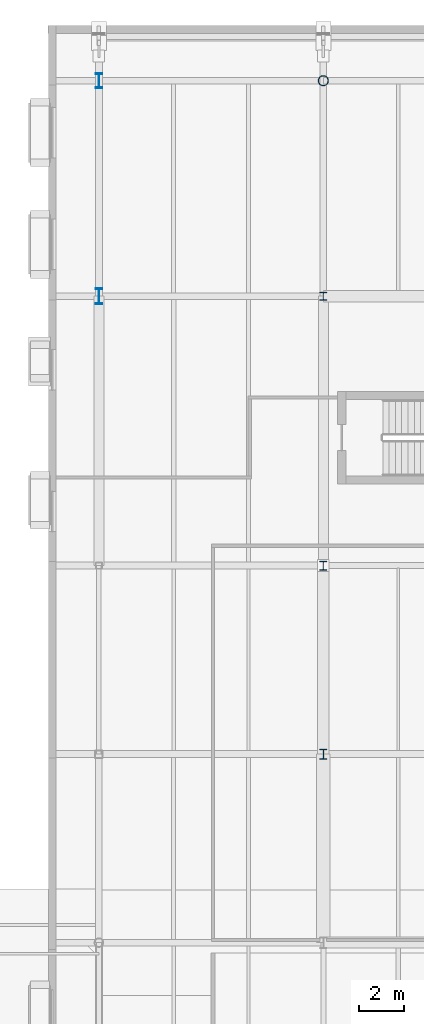
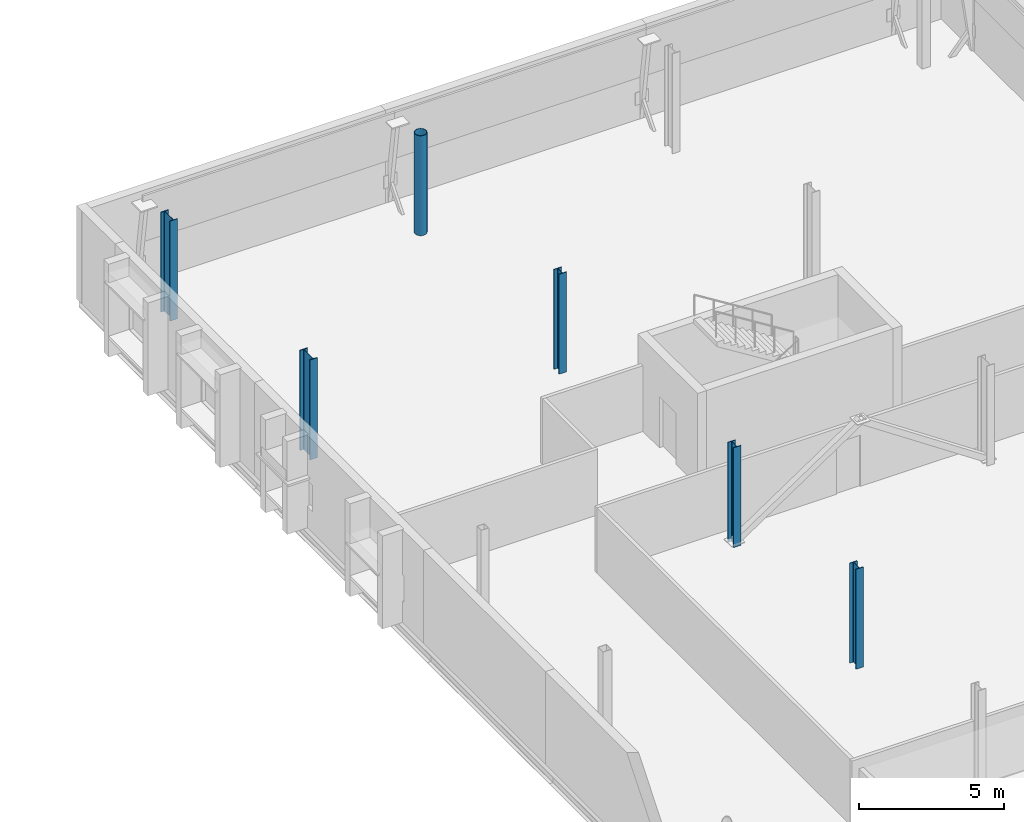
# One storey, part 12 of 90: 6 columns.
"""IFC4 building model written with IfcOpenShell, lengths in metres."""

from ifc_helpers import new_model, si_unit, direction, frame, origin, origin_2d, place, context, subcontext, project, spatial, hollow_circle, i_section, extrude, material, material_profile, profile_set, type_object, element, save


model = new_model("IFC4")

# Units and contexts
model_context = context("Model", 3, precision=1e-05, world=origin(), true_north=direction((0.0, 1.0)))
body_context = subcontext(model_context, "Body", "Model", "MODEL_VIEW")
ifc_project = project(units=[si_unit("LENGTHUNIT", "METRE"), si_unit("AREAUNIT", "SQUARE_METRE"), si_unit("VOLUMEUNIT", "CUBIC_METRE"), si_unit("PLANEANGLEUNIT", "RADIAN"), si_unit("MASSUNIT", "GRAM", prefix="KILO")], contexts=[model_context])

# Site, building, storey
site_placement = place(None, origin())
site = spatial("IfcSite", under=ifc_project, at=site_placement, CompositionType="ELEMENT")
building_placement = place(site_placement, origin())
building = spatial("IfcBuilding", under=site, at=building_placement, Name="Zereglee Splitstone Museum", CompositionType="ELEMENT")
storey_placement = place(building_placement, frame((0.0, 0.0, 4.800048828125)))
storey = spatial("IfcBuildingStorey", under=building, at=storey_placement, Name="L01", CompositionType="ELEMENT", Elevation=4.800048828125)

# Columns
ifc_material_1 = material(Name="Steel S355J2H", Category="steel")
ifc_material_profile_1 = material_profile(ifc_material_1, hollow_circle(Radius=0.228515625, WallThickness=0.02001953125, at=origin_2d()), Name="CHS 457.0x20")
ifc_profile_set_1 = profile_set([ifc_material_profile_1], Name="Steel S355J2H")
column_type_1 = type_object("IfcColumnType", Name="C-17", PredefinedType="COLUMN", material=ifc_profile_set_1)
column_1_placement = place(storey_placement, frame((185.199951171875, 60.0, 0.0), z_axis=(0.0, 0.0, 1.0), x_axis=(1.0, 0.0, 0.0)))
element("IfcColumn", 1, at=column_1_placement, inside=storey, type_object=column_type_1, Name="Column 21/G L01", PredefinedType="COLUMN", context=body_context, shape_type="SweptSolid", body=[
    extrude(hollow_circle(Radius=0.228515625, WallThickness=0.02001953125, at=origin_2d()), origin(), (0.0, 0.0, 1.0), 4.199951171875),
])
ifc_material_2 = material(Name="Steel S355J2", Category="steel")
ifc_material_profile_2 = material_profile(ifc_material_2, i_section(OverallWidth=0.300048828125, OverallDepth=0.360107421875, WebThickness=0.012451171875, FlangeThickness=0.0224609375, FilletRadius=0.027099609375, at=origin_2d()), Name="HE 360 B")
ifc_profile_set_2 = profile_set([ifc_material_profile_2], Name="Steel S355J2")
column_type_2 = type_object("IfcColumnType", Name="C-16", PredefinedType="COLUMN", material=ifc_profile_set_2)
column_2_placement = place(storey_placement, frame((185.199951171875, 50.39990234375, 0.0), z_axis=(0.0, 0.0, 1.0), x_axis=(1.0, 0.0, 0.0)))
element("IfcColumn", 2, at=column_2_placement, inside=storey, type_object=column_type_2, Name="Column 21/F L01", PredefinedType="COLUMN", context=body_context, shape_type="SweptSolid", body=[
    extrude(i_section(OverallWidth=0.300048828125, OverallDepth=0.360107421875, WebThickness=0.012451171875, FlangeThickness=0.0224609375, FilletRadius=0.027099609375, at=origin_2d()), origin(), (0.0, 0.0, 1.0), 4.199951171875),
])
ifc_material_profile_3 = material_profile(ifc_material_2, i_section(OverallWidth=0.300048828125, OverallDepth=0.39990234375, WebThickness=0.013427734375, FlangeThickness=0.02392578125, FilletRadius=0.027099609375, at=origin_2d()), Name="HE 400 B")
ifc_profile_set_3 = profile_set([ifc_material_profile_3], Name="Steel S355J2")
column_type_3 = type_object("IfcColumnType", Name="C-15", PredefinedType="COLUMN", material=ifc_profile_set_3)
column_3_placement = place(storey_placement, frame((185.199951171875, 38.39990234375, 0.0), z_axis=(0.0, 0.0, 1.0), x_axis=(1.0, 0.0, 0.0)))
element("IfcColumn", 3, at=column_3_placement, inside=storey, type_object=column_type_3, Name="Column 21/E L01", PredefinedType="COLUMN", context=body_context, shape_type="SweptSolid", body=[
    extrude(i_section(OverallWidth=0.300048828125, OverallDepth=0.39990234375, WebThickness=0.013427734375, FlangeThickness=0.02392578125, FilletRadius=0.027099609375, at=origin_2d()), origin(), (0.0, 0.0, 1.0), 4.199951171875),
])
ifc_material_profile_4 = material_profile(ifc_material_2, i_section(OverallWidth=0.300048828125, OverallDepth=0.449951171875, WebThickness=0.013916015625, FlangeThickness=0.02587890625, FilletRadius=0.027099609375, at=origin_2d()), Name="HE 450 B")
ifc_profile_set_4 = profile_set([ifc_material_profile_4], Name="Steel S355J2")
column_type_4 = type_object("IfcColumnType", Name="C-14", PredefinedType="COLUMN", material=ifc_profile_set_4)
column_4_placement = place(storey_placement, frame((185.199951171875, 30.0, 0.0), z_axis=(0.0, 0.0, 1.0), x_axis=(1.0, 0.0, 0.0)))
element("IfcColumn", 4, at=column_4_placement, inside=storey, type_object=column_type_4, Name="Column 21/D L01", PredefinedType="COLUMN", context=body_context, shape_type="SweptSolid", body=[
    extrude(i_section(OverallWidth=0.300048828125, OverallDepth=0.449951171875, WebThickness=0.013916015625, FlangeThickness=0.02587890625, FilletRadius=0.027099609375, at=origin_2d()), origin(), (0.0, 0.0, 1.0), 4.199951171875),
])
ifc_material_profile_5 = material_profile(ifc_material_2, i_section(OverallWidth=0.300048828125, OverallDepth=0.64990234375, WebThickness=0.01611328125, FlangeThickness=0.031005859375, FilletRadius=0.027099609375, at=origin_2d()), Name="HE 650 B")
ifc_profile_set_5 = profile_set([ifc_material_profile_5], Name="Steel S355J2")
column_type_5 = type_object("IfcColumnType", Name="C-10", PredefinedType="COLUMN", material=ifc_profile_set_5)
column_5_placement = place(storey_placement, frame((175.199951171875, 60.0, 0.0), z_axis=(0.0, 0.0, 1.0), x_axis=(1.0, 0.0, 0.0)))
element("IfcColumn", 5, at=column_5_placement, inside=storey, type_object=column_type_5, Name="Column 20/G L01", PredefinedType="COLUMN", context=body_context, shape_type="SweptSolid", body=[
    extrude(i_section(OverallWidth=0.300048828125, OverallDepth=0.64990234375, WebThickness=0.01611328125, FlangeThickness=0.031005859375, FilletRadius=0.027099609375, at=origin_2d()), origin(), (0.0, 0.0, 1.0), 4.199951171875),
])
ifc_material_profile_6 = material_profile(ifc_material_2, i_section(OverallWidth=0.300048828125, OverallDepth=0.699951171875, WebThickness=0.01708984375, FlangeThickness=0.031982421875, FilletRadius=0.027099609375, at=origin_2d()), Name="HE 700 B")
ifc_profile_set_6 = profile_set([ifc_material_profile_6], Name="Steel S355J2")
column_type_6 = type_object("IfcColumnType", Name="C-09", PredefinedType="COLUMN", material=ifc_profile_set_6)
column_6_placement = place(storey_placement, frame((175.199951171875, 50.39990234375, 0.0), z_axis=(0.0, 0.0, 1.0), x_axis=(1.0, 0.0, 0.0)))
element("IfcColumn", 6, at=column_6_placement, inside=storey, type_object=column_type_6, Name="Column 20/F L01", PredefinedType="COLUMN", context=body_context, shape_type="SweptSolid", body=[
    extrude(i_section(OverallWidth=0.300048828125, OverallDepth=0.699951171875, WebThickness=0.01708984375, FlangeThickness=0.031982421875, FilletRadius=0.027099609375, at=origin_2d()), origin(), (0.0, 0.0, 1.0), 4.199951171875),
])

save(model, "model.ifc")
